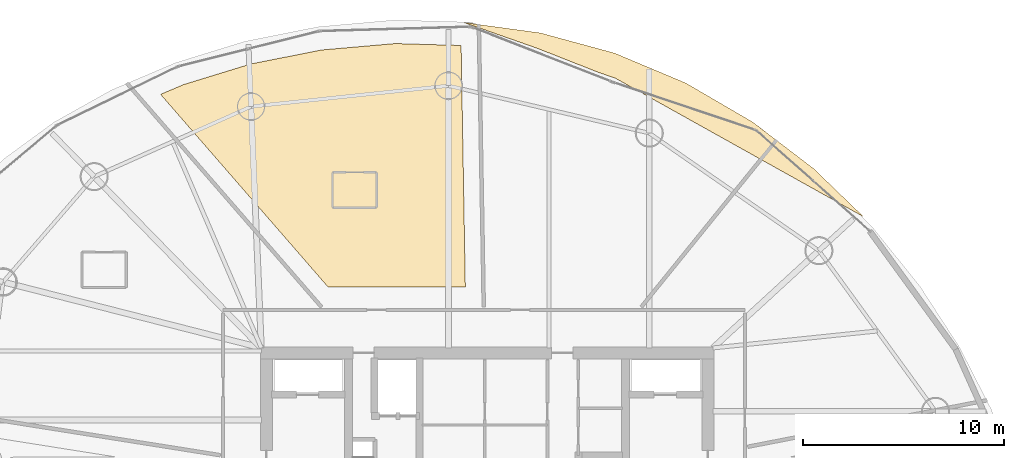
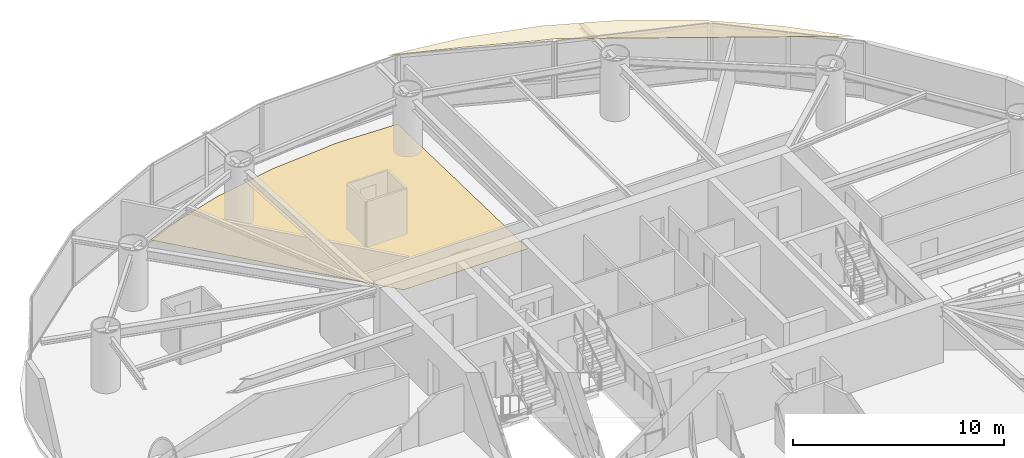
# One storey, part 20 of 20: 2 coverings.
"""IFC4 building model written with IfcOpenShell, lengths in metres."""

from ifc_helpers import new_model, si_unit, direction, frame, origin, place, context, subcontext, project, spatial, polyline, outline, extrude, material, layer, layer_set, type_object, element, save


model = new_model("IFC4")

# Units and contexts
model_context = context("Model", 3, precision=1e-05, world=origin(), true_north=direction((0.0, 1.0)))
body_context = subcontext(model_context, "Body", "Model", "MODEL_VIEW")
ifc_project = project(units=[si_unit("LENGTHUNIT", "METRE"), si_unit("AREAUNIT", "SQUARE_METRE"), si_unit("VOLUMEUNIT", "CUBIC_METRE"), si_unit("PLANEANGLEUNIT", "RADIAN"), si_unit("MASSUNIT", "GRAM", prefix="KILO")], contexts=[model_context])

# Site, building, storey
site_placement = place(None, origin())
site = spatial("IfcSite", under=ifc_project, at=site_placement, CompositionType="ELEMENT")
building_placement = place(site_placement, origin())
building = spatial("IfcBuilding", under=site, at=building_placement, Name="Bramvorn Convention Spire", CompositionType="ELEMENT")
storey_placement = place(building_placement, frame((0.0, 0.0, 113.300048828125)))
storey = spatial("IfcBuildingStorey", under=building, at=storey_placement, Name="L27", CompositionType="ELEMENT", Elevation=113.300048828125)

# Coverings
ifc_material_1 = material(Name="Champagne Bronze Aluminium Composite Soffit", Category="aluminium")
ifc_layer_1 = layer(ifc_material_1, 0.02490234375)
ifc_layer_set_1 = layer_set([ifc_layer_1], Name="Champagne Bronze Aluminium Composite Soffit - COV-CLAD-SOFFIT-25")
covering_type_1 = type_object("IfcCoveringType", Name="COV-CLAD-SOFFIT-25", PredefinedType="CLADDING", material=ifc_layer_set_1)
covering_1_placement = place(storey_placement, frame((0.0, 0.0, 3.23486328125)))
element("IfcCovering", 1, at=covering_1_placement, inside=storey, type_object=covering_type_1, Name="L26 double-height Sky Garden bronze soffit", PredefinedType="CLADDING", context=body_context, shape_type="SweptSolid", body=[
    extrude(outline(polyline([(36.8330078125, 49.669189453125), (40.512939453125, 48.37646484375), (43.511962890625, 47.19580078125), (44.394775390625, 46.889892578125), (56.75439453125, 39.990966796875), (54.2724609375, 42.38671875), (51.222412109375, 44.71435546875), (47.900390625, 46.651611328125), (44.354736328125, 48.141357421875), (40.6435546875, 49.150146484375), (36.8330078125, 49.669189453125)])), origin(), (0.0, 0.0, 1.0), 0.025146484375),
])
ifc_material_2 = material(Name="Solution-Dyed Wool Broadloom Hospitality Carpet", Category="textile")
ifc_layer_2 = layer(ifc_material_2, 0.014892578125)
ifc_layer_set_2 = layer_set([ifc_layer_2], Name="Solution-Dyed Wool Broadloom Hospitality Carpet - FLR-CARPET-15")
covering_type_2 = type_object("IfcCoveringType", Name="FLR-CARPET-15", PredefinedType="FLOORING", material=ifc_layer_set_2)
covering_2_placement = place(storey_placement, origin())
element("IfcCovering", 2, at=covering_2_placement, inside=storey, type_object=covering_type_2, Name="Hotel Suite 2703 wool broadloom carpet", PredefinedType="FLOORING", context=body_context, shape_type="SweptSolid", body=[
    extrude(outline(polyline([(22.8876953125, 46.577880859375), (21.730224609375, 46.087890625), (30.06494140625, 36.5), (36.91650390625, 36.5), (36.706787109375, 48.523681640625), (33.42333984375, 48.618896484375), (29.7685546875, 48.30126953125), (26.230224609375, 47.603515625), (22.8876953125, 46.577880859375)])), origin(), (0.0, 0.0, 1.0), 0.014892578125),
])

save(model, "model.ifc")
